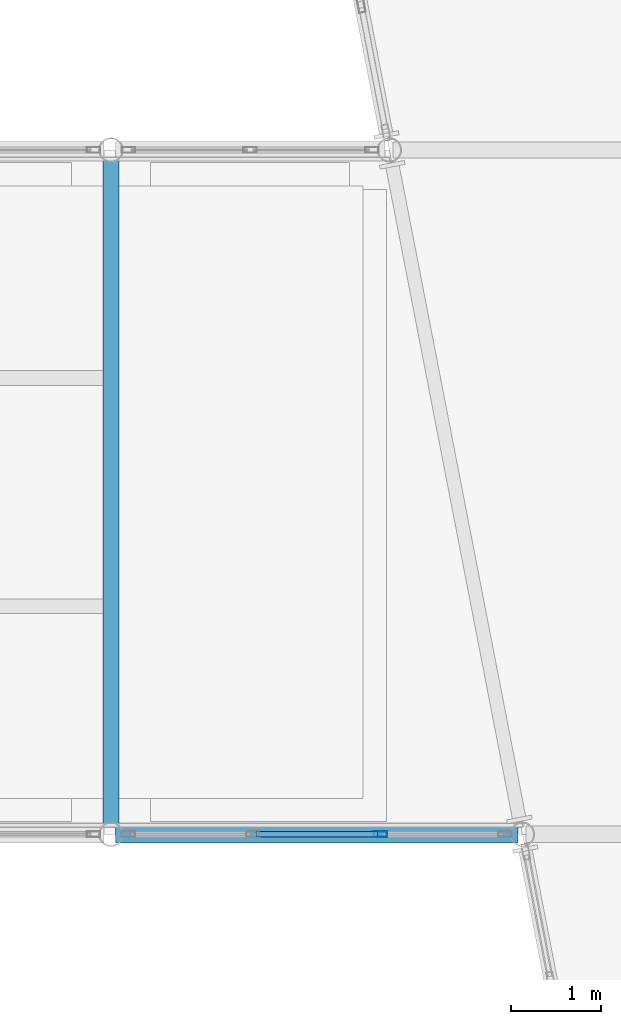
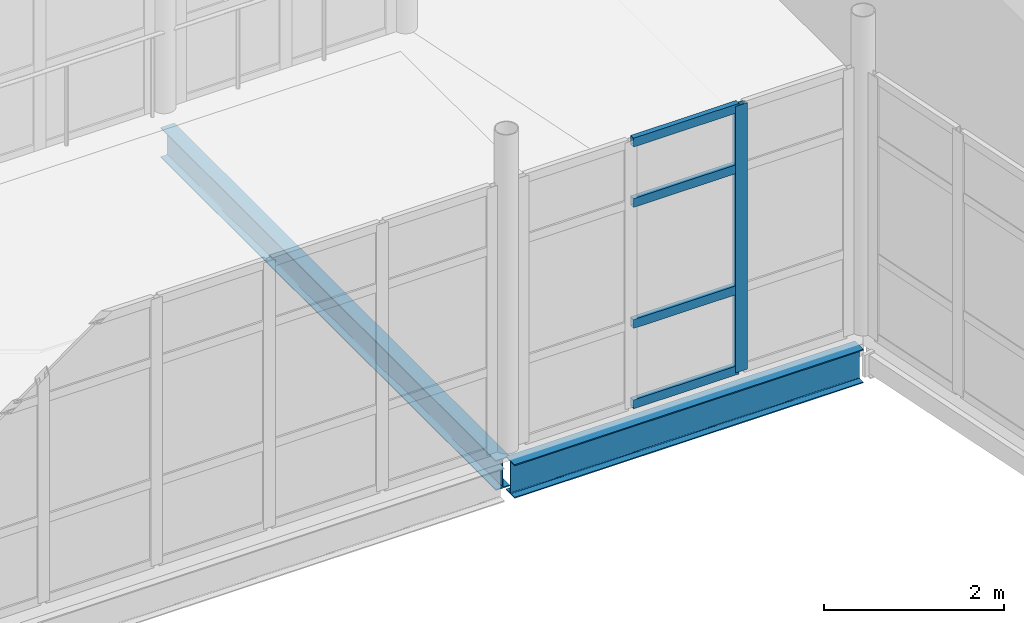
# One storey, part 94 of 174: 5 members, 2 beams, 1 element without a shape of its own.
"""IFC4 building model written with IfcOpenShell, lengths in metres."""

from ifc_helpers import new_model, si_unit, direction, frame, origin, origin_2d, place, context, subcontext, project, spatial, hollow_rectangle, i_section, extrude, material, material_profile, profile_set, type_object, element, aggregate, save


model = new_model("IFC4")

# Units and contexts
model_context = context("Model", 3, precision=1e-05, world=origin(), true_north=direction((0.0, 1.0)))
body_context = subcontext(model_context, "Body", "Model", "MODEL_VIEW")
ifc_project = project(units=[si_unit("LENGTHUNIT", "METRE"), si_unit("AREAUNIT", "SQUARE_METRE"), si_unit("VOLUMEUNIT", "CUBIC_METRE"), si_unit("PLANEANGLEUNIT", "RADIAN"), si_unit("MASSUNIT", "GRAM", prefix="KILO")], contexts=[model_context])

# Site, building, storey
site_placement = place(None, origin())
site = spatial("IfcSite", under=ifc_project, at=site_placement, CompositionType="ELEMENT")
building_placement = place(site_placement, origin())
building = spatial("IfcBuilding", under=site, at=building_placement, Name="Caisbarro Railhouse Central Library", CompositionType="ELEMENT")
storey_placement = place(building_placement, frame((0.0, 0.0, 5.0400390625)))
storey = spatial("IfcBuildingStorey", under=building, at=storey_placement, Name="L01", CompositionType="ELEMENT", Elevation=5.0400390625)

# Beams
ifc_material_1 = material(Name="Steel ASTM A572 Grade 50", Category="steel")
ifc_material_profile_1 = material_profile(ifc_material_1, i_section(OverallWidth=0.18994140625, OverallDepth=0.45703125, WebThickness=0.009033203125, FlangeThickness=0.014404296875, FilletRadius=0.01806640625, at=origin_2d()), Name="W460X74.0")
ifc_profile_set_1 = profile_set([ifc_material_profile_1], Name="Steel ASTM A572 Grade 50")
beam_type_1 = type_object("IfcBeamType", Name="BM-G08", PredefinedType="BEAM", material=ifc_profile_set_1)
beam_1_placement = place(storey_placement, frame((108.050048828125, 83.60009765625, -0.428466796875), z_axis=(1.0, 0.0, 0.0), x_axis=(0.0, 1.0, 0.0)))
element("IfcBeam", 1, at=beam_1_placement, inside=storey, type_object=beam_type_1, Name="G08 beam L01 #1276", PredefinedType="BEAM", context=body_context, shape_type="SweptSolid", body=[
    extrude(i_section(OverallWidth=0.18994140625, OverallDepth=0.45703125, WebThickness=0.009033203125, FlangeThickness=0.014404296875, FilletRadius=0.01806640625, at=origin_2d()), origin(), (0.0, 0.0, 1.0), 4.468017578125),
])
ifc_material_profile_2 = material_profile(ifc_material_1, i_section(OverallWidth=0.177978515625, OverallDepth=0.406982421875, WebThickness=0.0078125, FlangeThickness=0.0126953125, FilletRadius=0.01611328125, at=origin_2d()), Name="W410X60.0")
ifc_profile_set_2 = profile_set([ifc_material_profile_2], Name="Steel ASTM A572 Grade 50")
beam_type_2 = type_object("IfcBeamType", Name="BM-G10", PredefinedType="BEAM", material=ifc_profile_set_2)
beam_2_placement = place(storey_placement, frame((108.0, 83.679931640625, -0.403564453125), z_axis=(0.0, 1.0, 0.0), x_axis=(-1.0, 0.0, 0.0)))
element("IfcBeam", 2, at=beam_2_placement, inside=storey, type_object=beam_type_2, Name="G10 beam L01 #1262", PredefinedType="BEAM", context=body_context, shape_type="SweptSolid", body=[
    extrude(i_section(OverallWidth=0.177978515625, OverallDepth=0.406982421875, WebThickness=0.0078125, FlangeThickness=0.0126953125, FilletRadius=0.01611328125, at=origin_2d()), origin(), (0.0, 0.0, 1.0), 7.440185546875),
])

# Curtain wall, members
ifc_material_2 = material(Name="Anodised architectural aluminium", Category="aluminium")
curtain_wall_type = type_object("IfcCurtainWallType", Name="CW-CW03", PredefinedType="NOTDEFINED", material=ifc_material_2)
curtain_wall_placement = place(storey_placement, origin())
curtain_wall = element("IfcCurtainWall", 3, at=curtain_wall_placement, inside=storey, type_object=curtain_wall_type, Name="CW03 curtain wall L01 #199", PredefinedType="NOTDEFINED")
ifc_material_profile_3 = material_profile(ifc_material_2, hollow_rectangle(XDim=0.06494140625, YDim=0.14990234375, WallThickness=0.00390625, at=origin_2d()), Name="ALU-MUL-65X150")
ifc_profile_set_3 = profile_set([ifc_material_profile_3], Name="Anodised architectural aluminium")
member_type_1 = type_object("IfcMemberType", Name="CWM-M02", PredefinedType="MULLION", material=ifc_profile_set_3)
member_1_placement = place(storey_placement, frame((110.991943359375, 83.60009765625, 0.0), z_axis=(0.0, 0.0, 1.0), x_axis=(0.0, 1.0, 0.0)))
member_1 = element("IfcMember", 4, at=member_1_placement, type_object=member_type_1, Name="CW03 mullion 3", PredefinedType="MULLION", context=body_context, shape_type="SweptSolid", body=[
    extrude(hollow_rectangle(XDim=0.06494140625, YDim=0.14990234375, WallThickness=0.00390625, at=origin_2d()), origin(), (0.0, 0.0, 1.0), 3.60986328125),
])
ifc_material_profile_4 = material_profile(ifc_material_2, hollow_rectangle(XDim=0.06494140625, YDim=0.1201171875, WallThickness=0.00341796875, at=origin_2d()), Name="ALU-TRN-65X120")
ifc_profile_set_4 = profile_set([ifc_material_profile_4], Name="Anodised architectural aluminium")
member_type_2 = type_object("IfcMemberType", Name="CWT-T02", PredefinedType="USERDEFINED", material=ifc_profile_set_4)
member_2_placement = place(storey_placement, frame((109.6083984375, 83.60009765625, 0.032470703125), z_axis=(1.0, 0.0, 0.0), x_axis=(0.0, 1.0, 0.0)))
member_2 = element("IfcMember", 5, at=member_2_placement, type_object=member_type_2, Name="CW03 transom 2.1", ObjectType="TRANSOM", PredefinedType="USERDEFINED", context=body_context, shape_type="SweptSolid", body=[
    extrude(hollow_rectangle(XDim=0.06494140625, YDim=0.1201171875, WallThickness=0.00341796875, at=origin_2d()), origin(), (0.0, 0.0, 1.0), 1.35107421875),
])
member_3_placement = place(storey_placement, frame((109.6083984375, 83.60009765625, 1.119873046875), z_axis=(1.0, 0.0, 0.0), x_axis=(0.0, 1.0, 0.0)))
member_3 = element("IfcMember", 6, at=member_3_placement, type_object=member_type_2, Name="CW03 transom 2.2", ObjectType="TRANSOM", PredefinedType="USERDEFINED", context=body_context, shape_type="SweptSolid", body=[
    extrude(hollow_rectangle(XDim=0.06494140625, YDim=0.1201171875, WallThickness=0.00341796875, at=origin_2d()), origin(), (0.0, 0.0, 1.0), 1.35107421875),
])
member_4_placement = place(storey_placement, frame((109.6083984375, 83.60009765625, 2.760009765625), z_axis=(1.0, 0.0, 0.0), x_axis=(0.0, 1.0, 0.0)))
member_4 = element("IfcMember", 7, at=member_4_placement, type_object=member_type_2, Name="CW03 transom 2.3", ObjectType="TRANSOM", PredefinedType="USERDEFINED", context=body_context, shape_type="SweptSolid", body=[
    extrude(hollow_rectangle(XDim=0.06494140625, YDim=0.1201171875, WallThickness=0.00341796875, at=origin_2d()), origin(), (0.0, 0.0, 1.0), 1.35107421875),
])
member_5_placement = place(storey_placement, frame((109.6083984375, 83.60009765625, 3.577392578125), z_axis=(1.0, 0.0, 0.0), x_axis=(0.0, 1.0, 0.0)))
member_5 = element("IfcMember", 8, at=member_5_placement, type_object=member_type_2, Name="CW03 transom 2.4", ObjectType="TRANSOM", PredefinedType="USERDEFINED", context=body_context, shape_type="SweptSolid", body=[
    extrude(hollow_rectangle(XDim=0.06494140625, YDim=0.1201171875, WallThickness=0.00341796875, at=origin_2d()), origin(), (0.0, 0.0, 1.0), 1.35107421875),
])
aggregate(curtain_wall, [member_1, member_2, member_3, member_4, member_5])

save(model, "model.ifc")
